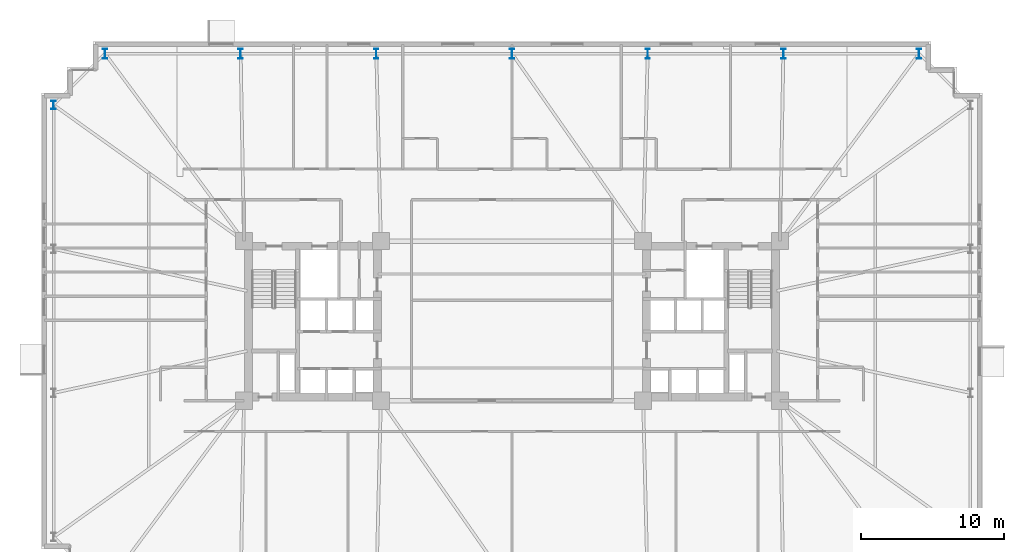
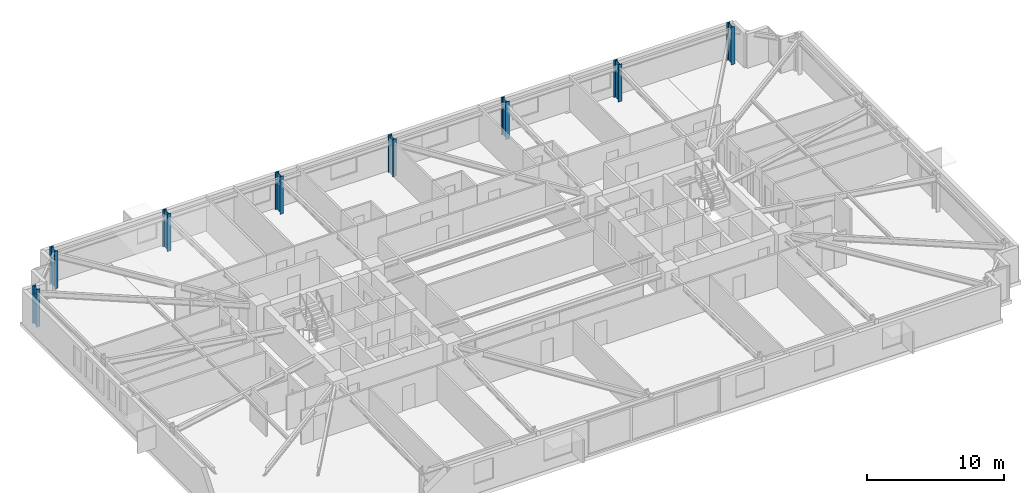
# One storey, part 2 of 26: 8 columns.
"""IFC4 building model written with IfcOpenShell, lengths in metres."""

from ifc_helpers import new_model, si_unit, direction, frame, origin, origin_2d, place, context, subcontext, project, spatial, i_section, extrude, material, material_profile, profile_set, type_object, element, save


model = new_model("IFC4")

# Units and contexts
model_context = context("Model", 3, precision=1e-05, world=origin(), true_north=direction((0.0, 1.0)))
body_context = subcontext(model_context, "Body", "Model", "MODEL_VIEW")
ifc_project = project(units=[si_unit("LENGTHUNIT", "METRE"), si_unit("AREAUNIT", "SQUARE_METRE"), si_unit("VOLUMEUNIT", "CUBIC_METRE"), si_unit("PLANEANGLEUNIT", "RADIAN"), si_unit("MASSUNIT", "GRAM", prefix="KILO")], contexts=[model_context])

# Site, building, storey
site_placement = place(None, origin())
site = spatial("IfcSite", under=ifc_project, at=site_placement, CompositionType="ELEMENT")
building_placement = place(site_placement, origin())
building = spatial("IfcBuilding", under=site, at=building_placement, Name="Qobustan Lattice House", CompositionType="ELEMENT")
storey_placement = place(building_placement, frame((0.0, 0.0, 47.10009765625)))
storey = spatial("IfcBuildingStorey", under=building, at=storey_placement, Name="L12", CompositionType="ELEMENT", Elevation=47.10009765625)

# Columns
ifc_material_1 = material(Name="Steel S460", Category="steel")
ifc_material_profile_1 = material_profile(ifc_material_1, i_section(OverallWidth=0.304931640625, OverallDepth=0.6201171875, WebThickness=0.02099609375, FlangeThickness=0.0400390625, FilletRadius=0.027099609375, at=origin_2d()), Name="HEM600")
ifc_profile_set_1 = profile_set([ifc_material_profile_1], Name="Steel S460")
column_type_1 = type_object("IfcColumnType", Name="COL-ST-HEM600", PredefinedType="COLUMN", material=ifc_profile_set_1)
column_placement = place(storey_placement, frame((-32.14990234375, 15.14990234375, 0.0), z_axis=(0.0, 0.0, 1.0), x_axis=(1.0, 0.0, 0.0)))
element("IfcColumn", 1, at=column_placement, inside=storey, type_object=column_type_1, Name="L12 B1 perimeter column W1", PredefinedType="COLUMN", context=body_context, shape_type="SweptSolid", body=[
    extrude(i_section(OverallWidth=0.304931640625, OverallDepth=0.6201171875, WebThickness=0.02099609375, FlangeThickness=0.0400390625, FilletRadius=0.027099609375, at=origin_2d()), origin(), (0.0, 0.0, 1.0), 3.349853515625),
])
ifc_material_2 = material(Name="Steel S460", Category="steel")
ifc_material_profile_2 = material_profile(ifc_material_2, i_section(OverallWidth=0.303955078125, OverallDepth=0.716064453125, WebThickness=0.02099609375, FlangeThickness=0.0400390625, FilletRadius=0.027099609375, at=origin_2d()), Name="HEM700")
ifc_profile_set_2 = profile_set([ifc_material_profile_2], Name="Steel S460")
column_type_2 = type_object("IfcColumnType", Name="COL-ST-HEM700", PredefinedType="COLUMN", material=ifc_profile_set_2)
for number, where, z_axis, x_axis, name in (
    (2, (28.550048828125, 18.75, 0.0), (0.0, 0.0, 1.0), (1.0, 0.0, 0.0), "L12 B1 perimeter column N1"),
    (3, (19.033203125, 18.75, 0.0), (0.0, 0.0, 1.0), (1.0, 0.0, 0.0), "L12 B1 perimeter column N2"),
    (4, (9.5166015625, 18.75, 0.0), (0.0, 0.0, 1.0), (1.0, 0.0, 0.0), "L12 B1 perimeter column N3"),
    (5, (0.0, 18.75, 0.0), (0.0, 0.0, 1.0), (1.0, 0.0, 0.0), "L12 B1 perimeter column N4"),
    (6, (-9.5166015625, 18.75, 0.0), (0.0, 0.0, 1.0), (1.0, 0.0, 0.0), "L12 B1 perimeter column N5"),
    (7, (-19.033203125, 18.75, 0.0), (0.0, 0.0, 1.0), (1.0, 0.0, 0.0), "L12 B1 perimeter column N6"),
    (8, (-28.550048828125, 18.75, 0.0), (0.0, 0.0, 1.0), (1.0, 0.0, 0.0), "L12 B1 perimeter column N7"),
):
    element("IfcColumn", number, at=place(storey_placement, frame(where, z_axis=z_axis, x_axis=x_axis)), inside=storey, type_object=column_type_2, Name=name, PredefinedType="COLUMN", context=body_context, shape_type="SweptSolid", body=[
        extrude(i_section(OverallWidth=0.303955078125, OverallDepth=0.716064453125, WebThickness=0.02099609375, FlangeThickness=0.0400390625, FilletRadius=0.027099609375, at=origin_2d()), origin(), (0.0, 0.0, 1.0), 3.349853515625),
    ])

save(model, "model.ifc")
